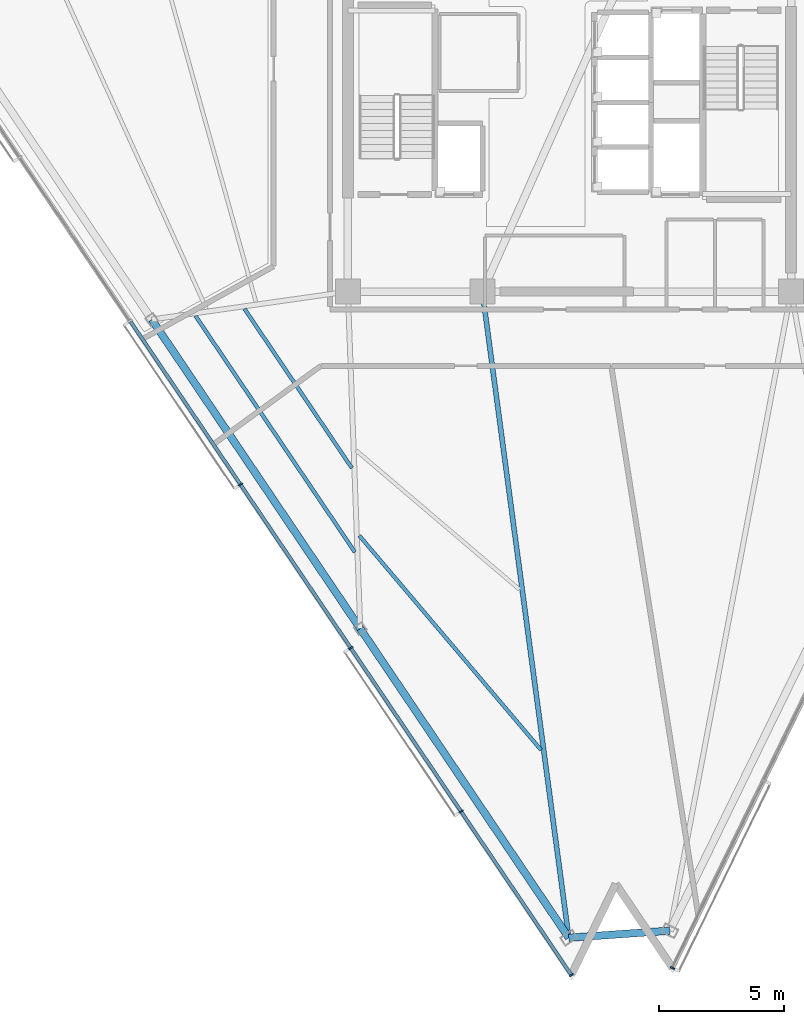
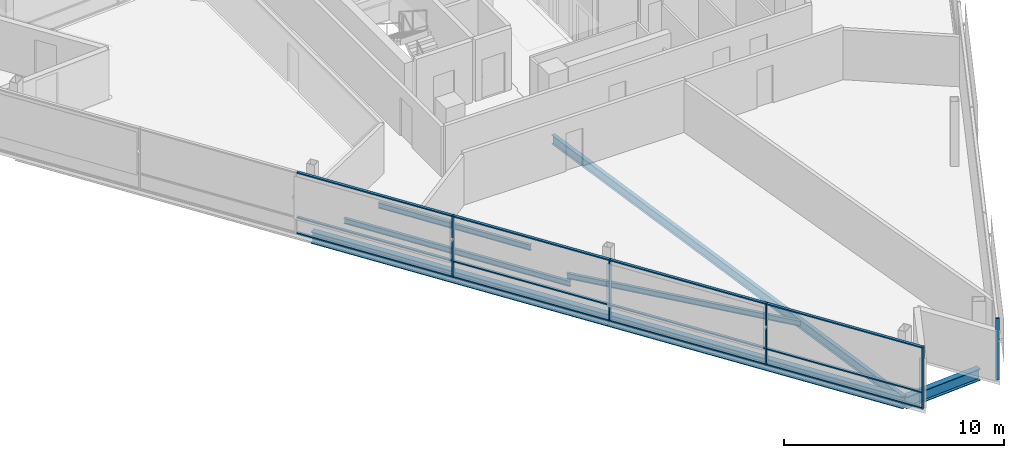
# One storey, part 2 of 15: 17 members, 7 beams, 2 elements without a shape of their own.
"""IFC4 building model written with IfcOpenShell, lengths in metres."""

from ifc_helpers import new_model, si_unit, direction, frame, origin, origin_2d, place, context, subcontext, project, spatial, rectangle, i_section, extrude, material, layer, layer_set, material_profile, profile_set, type_object, element, aggregate, save


model = new_model("IFC4")

# Units and contexts
model_context = context("Model", 3, precision=1e-05, world=origin(), true_north=direction((0.0, 1.0)))
body_context = subcontext(model_context, "Body", "Model", "MODEL_VIEW")
ifc_project = project(units=[si_unit("LENGTHUNIT", "METRE"), si_unit("AREAUNIT", "SQUARE_METRE"), si_unit("VOLUMEUNIT", "CUBIC_METRE"), si_unit("PLANEANGLEUNIT", "RADIAN"), si_unit("MASSUNIT", "GRAM", prefix="KILO")], contexts=[model_context])

# Site, building, storey
site_placement = place(None, origin())
site = spatial("IfcSite", under=ifc_project, at=site_placement, CompositionType="ELEMENT")
building_placement = place(site_placement, origin())
building = spatial("IfcBuilding", under=site, at=building_placement, Name="Tharavind Bronze Gate", CompositionType="ELEMENT")
storey_placement = place(building_placement, frame((0.0, 0.0, 267.800048828125)))
storey = spatial("IfcBuildingStorey", under=building, at=storey_placement, Name="L69", CompositionType="ELEMENT", Elevation=267.800048828125)

# Curtain wall, members
ifc_material_1 = material(Name="Anodised Bronze Aluminium", Category="aluminium")
ifc_layer = layer(ifc_material_1, 0.219970703125)
ifc_layer_set = layer_set([ifc_layer], Name="Anodised Bronze Aluminium")
curtain_wall_type = type_object("IfcCurtainWallType", Name="UNITISED CURTAIN WALL UPPER OFFICE", PredefinedType="USERDEFINED", material=ifc_layer_set)
curtain_wall_1_placement = place(storey_placement, origin())
curtain_wall_1 = element("IfcCurtainWall", 1, at=curtain_wall_1_placement, inside=storey, type_object=curtain_wall_type, Name="L69 unitised curtain wall upper office CW-L69-S1", ObjectType="UNITISED CURTAIN WALL", PredefinedType="USERDEFINED")
member_type_1 = type_object("IfcMemberType", Name="CURTAIN WALL BRONZE MULLION 65X180", PredefinedType="MULLION", material=ifc_material_1)
member_1_placement = place(storey_placement, frame((-13.211181640625, -15.3466796875, 0.0), z_axis=(0.0, 0.0, 1.0), x_axis=(0.559191456526, -0.82903854853, 0.0)))
member_1 = element("IfcMember", 2, at=member_1_placement, type_object=member_type_1, Name="CW-L69-S1 mullion 4", PredefinedType="MULLION", context=body_context, shape_type="SweptSolid", body=[
    extrude(rectangle(XDim=0.06494140625, YDim=0.179931640625, at=origin_2d()), origin(), (0.0, 0.0, 1.0), 3.419921875),
])
member_2_placement = place(storey_placement, frame((-8.781982421875, -21.912841796875, 0.0), z_axis=(0.0, 0.0, 1.0), x_axis=(0.559191456526, -0.82903854853, 0.0)))
member_2 = element("IfcMember", 3, at=member_2_placement, type_object=member_type_1, Name="CW-L69-S1 mullion 5", PredefinedType="MULLION", context=body_context, shape_type="SweptSolid", body=[
    extrude(rectangle(XDim=0.06494140625, YDim=0.179931640625, at=origin_2d()), origin(), (0.0, 0.0, 1.0), 3.419921875),
])
member_3_placement = place(storey_placement, frame((-4.35302734375, -28.47900390625, 0.0), z_axis=(0.0, 0.0, 1.0), x_axis=(0.559191456526, -0.82903854853, 0.0)))
member_3 = element("IfcMember", 4, at=member_3_placement, type_object=member_type_1, Name="CW-L69-S1 mullion 6", PredefinedType="MULLION", context=body_context, shape_type="SweptSolid", body=[
    extrude(rectangle(XDim=0.06494140625, YDim=0.179931640625, at=origin_2d()), origin(), (0.0, 0.0, 1.0), 3.419921875),
])
member_4_placement = place(storey_placement, frame((0.075927734375, -35.04541015625, 0.0), z_axis=(0.0, 0.0, 1.0), x_axis=(0.559191456526, -0.82903854853, 0.0)))
member_4 = element("IfcMember", 5, at=member_4_placement, type_object=member_type_1, Name="CW-L69-S1 mullion 7", PredefinedType="MULLION", context=body_context, shape_type="SweptSolid", body=[
    extrude(rectangle(XDim=0.06494140625, YDim=0.179931640625, at=origin_2d()), origin(), (0.0, 0.0, 1.0), 3.419921875),
])

# Curtain wall, member
curtain_wall_2_placement = place(storey_placement, origin())
curtain_wall_2 = element("IfcCurtainWall", 6, at=curtain_wall_2_placement, inside=storey, type_object=curtain_wall_type, Name="L69 unitised curtain wall upper office CW-L69-S2", ObjectType="UNITISED CURTAIN WALL", PredefinedType="USERDEFINED")
member_5_placement = place(storey_placement, frame((4.134033203125, -34.76171875, 0.0), z_axis=(0.0, 0.0, 1.0), x_axis=(0.43837271548, 0.898793281196, 0.0)))
member_5 = element("IfcMember", 7, at=member_5_placement, type_object=member_type_1, Name="CW-L69-S2 mullion 1", PredefinedType="MULLION", context=body_context, shape_type="SweptSolid", body=[
    extrude(rectangle(XDim=0.06494140625, YDim=0.179931640625, at=origin_2d()), origin(), (0.0, 0.0, 1.0), 3.419921875),
])
aggregate(curtain_wall_2, [member_5])

# Member
member_type_2 = type_object("IfcMemberType", Name="CURTAIN WALL BRONZE TRANSOM 65X140", PredefinedType="USERDEFINED", material=ifc_material_1)
member_6_placement = place(storey_placement, frame((-15.425537109375, -12.0634765625, 0.0), z_axis=(0.0, 0.0, 1.0), x_axis=(0.559191456526, -0.82903854853, 0.0)))
member_6 = element("IfcMember", 8, at=member_6_placement, type_object=member_type_2, Name="CW-L69-S1 transom TB3", ObjectType="TRANSOM", PredefinedType="USERDEFINED", context=body_context, shape_type="SweptSolid", body=[
    extrude(rectangle(XDim=7.8671875, YDim=0.139892578125, at=origin_2d()), origin(), (0.0, 0.0, 1.0), 0.06494140625),
])

member_7_placement = place(storey_placement, frame((-15.425537109375, -12.0634765625, 0.867431640625), z_axis=(0.0, 0.0, 1.0), x_axis=(0.559191456526, -0.82903854853, 0.0)))
member_7 = element("IfcMember", 9, at=member_7_placement, type_object=member_type_2, Name="CW-L69-S1 transom TS3", ObjectType="TRANSOM", PredefinedType="USERDEFINED", context=body_context, shape_type="SweptSolid", body=[
    extrude(rectangle(XDim=7.8671875, YDim=0.139892578125, at=origin_2d()), origin(), (0.0, 0.0, 1.0), 0.06494140625),
])

member_8_placement = place(storey_placement, frame((-15.425537109375, -12.0634765625, 3.35498046875), z_axis=(0.0, 0.0, 1.0), x_axis=(0.559191456526, -0.82903854853, 0.0)))
member_8 = element("IfcMember", 10, at=member_8_placement, type_object=member_type_2, Name="CW-L69-S1 transom TT3", ObjectType="TRANSOM", PredefinedType="USERDEFINED", context=body_context, shape_type="SweptSolid", body=[
    extrude(rectangle(XDim=7.8671875, YDim=0.139892578125, at=origin_2d()), origin(), (0.0, 0.0, 1.0), 0.06494140625),
])

member_9_placement = place(storey_placement, frame((-10.99658203125, -18.629638671875, 0.0), z_axis=(0.0, 0.0, 1.0), x_axis=(0.559191456526, -0.82903854853, 0.0)))
member_9 = element("IfcMember", 11, at=member_9_placement, type_object=member_type_2, Name="CW-L69-S1 transom TB4", ObjectType="TRANSOM", PredefinedType="USERDEFINED", context=body_context, shape_type="SweptSolid", body=[
    extrude(rectangle(XDim=7.8671875, YDim=0.139892578125, at=origin_2d()), origin(), (0.0, 0.0, 1.0), 0.06494140625),
])

member_10_placement = place(storey_placement, frame((-10.99658203125, -18.629638671875, 0.867431640625), z_axis=(0.0, 0.0, 1.0), x_axis=(0.559191456526, -0.82903854853, 0.0)))
member_10 = element("IfcMember", 12, at=member_10_placement, type_object=member_type_2, Name="CW-L69-S1 transom TS4", ObjectType="TRANSOM", PredefinedType="USERDEFINED", context=body_context, shape_type="SweptSolid", body=[
    extrude(rectangle(XDim=7.8671875, YDim=0.139892578125, at=origin_2d()), origin(), (0.0, 0.0, 1.0), 0.06494140625),
])

member_11_placement = place(storey_placement, frame((-10.99658203125, -18.629638671875, 3.35498046875), z_axis=(0.0, 0.0, 1.0), x_axis=(0.559191456526, -0.82903854853, 0.0)))
member_11 = element("IfcMember", 13, at=member_11_placement, type_object=member_type_2, Name="CW-L69-S1 transom TT4", ObjectType="TRANSOM", PredefinedType="USERDEFINED", context=body_context, shape_type="SweptSolid", body=[
    extrude(rectangle(XDim=7.8671875, YDim=0.139892578125, at=origin_2d()), origin(), (0.0, 0.0, 1.0), 0.06494140625),
])

member_12_placement = place(storey_placement, frame((-6.567626953125, -25.196044921875, 0.0), z_axis=(0.0, 0.0, 1.0), x_axis=(0.559191456526, -0.82903854853, 0.0)))
member_12 = element("IfcMember", 14, at=member_12_placement, type_object=member_type_2, Name="CW-L69-S1 transom TB5", ObjectType="TRANSOM", PredefinedType="USERDEFINED", context=body_context, shape_type="SweptSolid", body=[
    extrude(rectangle(XDim=7.8671875, YDim=0.139892578125, at=origin_2d()), origin(), (0.0, 0.0, 1.0), 0.06494140625),
])

member_13_placement = place(storey_placement, frame((-6.567626953125, -25.196044921875, 0.867431640625), z_axis=(0.0, 0.0, 1.0), x_axis=(0.559191456526, -0.82903854853, 0.0)))
member_13 = element("IfcMember", 15, at=member_13_placement, type_object=member_type_2, Name="CW-L69-S1 transom TS5", ObjectType="TRANSOM", PredefinedType="USERDEFINED", context=body_context, shape_type="SweptSolid", body=[
    extrude(rectangle(XDim=7.8671875, YDim=0.139892578125, at=origin_2d()), origin(), (0.0, 0.0, 1.0), 0.06494140625),
])

member_14_placement = place(storey_placement, frame((-6.567626953125, -25.196044921875, 3.35498046875), z_axis=(0.0, 0.0, 1.0), x_axis=(0.559191456526, -0.82903854853, 0.0)))
member_14 = element("IfcMember", 16, at=member_14_placement, type_object=member_type_2, Name="CW-L69-S1 transom TT5", ObjectType="TRANSOM", PredefinedType="USERDEFINED", context=body_context, shape_type="SweptSolid", body=[
    extrude(rectangle(XDim=7.8671875, YDim=0.139892578125, at=origin_2d()), origin(), (0.0, 0.0, 1.0), 0.06494140625),
])

member_15_placement = place(storey_placement, frame((-2.138671875, -31.76220703125, 0.0), z_axis=(0.0, 0.0, 1.0), x_axis=(0.559191456526, -0.82903854853, 0.0)))
member_15 = element("IfcMember", 17, at=member_15_placement, type_object=member_type_2, Name="CW-L69-S1 transom TB6", ObjectType="TRANSOM", PredefinedType="USERDEFINED", context=body_context, shape_type="SweptSolid", body=[
    extrude(rectangle(XDim=7.8671875, YDim=0.139892578125, at=origin_2d()), origin(), (0.0, 0.0, 1.0), 0.06494140625),
])

member_16_placement = place(storey_placement, frame((-2.138671875, -31.76220703125, 0.867431640625), z_axis=(0.0, 0.0, 1.0), x_axis=(0.559191456526, -0.82903854853, 0.0)))
member_16 = element("IfcMember", 18, at=member_16_placement, type_object=member_type_2, Name="CW-L69-S1 transom TS6", ObjectType="TRANSOM", PredefinedType="USERDEFINED", context=body_context, shape_type="SweptSolid", body=[
    extrude(rectangle(XDim=7.8671875, YDim=0.139892578125, at=origin_2d()), origin(), (0.0, 0.0, 1.0), 0.06494140625),
])

member_17_placement = place(storey_placement, frame((-2.138671875, -31.76220703125, 3.35498046875), z_axis=(0.0, 0.0, 1.0), x_axis=(0.559191456526, -0.82903854853, 0.0)))
member_17 = element("IfcMember", 19, at=member_17_placement, type_object=member_type_2, Name="CW-L69-S1 transom TT6", ObjectType="TRANSOM", PredefinedType="USERDEFINED", context=body_context, shape_type="SweptSolid", body=[
    extrude(rectangle(XDim=7.8671875, YDim=0.139892578125, at=origin_2d()), origin(), (0.0, 0.0, 1.0), 0.06494140625),
])

aggregate(curtain_wall_1, [member_1, member_2, member_3, member_4, member_6, member_7, member_8, member_9, member_10, member_11, member_12, member_13, member_14, member_15, member_16, member_17])

# Beams
ifc_material_2 = material(Name="Steel S355", Category="steel")
ifc_material_profile_1 = material_profile(ifc_material_2, i_section(OverallWidth=0.300048828125, OverallDepth=0.64990234375, WebThickness=0.01611328125, FlangeThickness=0.031005859375, at=origin_2d()), Name="HE650B")
ifc_profile_set_1 = profile_set([ifc_material_profile_1], Name="Steel S355")
beam_type_1 = type_object("IfcBeamType", Name="PRIMARY GIRDER HE650B", PredefinedType="USERDEFINED", material=ifc_profile_set_1)
for number, where, z_axis, x_axis, name in (
    (20, (-16.776123046875, -8.719970703125, -0.505126953125), (0.559195614283, -0.829035744083, 0.0), (0.829035744083, 0.559195614283, 0.0), "L69 primary girder he650b BM-L69-PRG02"),
    (21, (-8.40234375, -21.134521484375, -0.505126953125), (0.559184408692, -0.829043302292, 0.0), (0.829043302292, 0.559184408692, 0.0), "L69 primary girder he650b BM-L69-PRG03"),
):
    element("IfcBeam", number, at=place(storey_placement, frame(where, z_axis=z_axis, x_axis=x_axis)), inside=storey, type_object=beam_type_1, Name=name, ObjectType="GIRDER", PredefinedType="USERDEFINED", context=body_context, shape_type="SweptSolid", body=[
        extrude(i_section(OverallWidth=0.300048828125, OverallDepth=0.64990234375, WebThickness=0.01611328125, FlangeThickness=0.031005859375, at=origin_2d()), origin(), (0.0, 0.0, 1.0), 14.974609375),
    ])
beam_1_placement = place(storey_placement, frame((-0.02880859375, -33.549072265625, -0.505126953125), z_axis=(0.997561224107, 0.069796877851, 0.0), x_axis=(-0.069796877851, 0.997561224107, 0.0)))
element("IfcBeam", 22, at=beam_1_placement, inside=storey, type_object=beam_type_1, Name="L69 primary girder he650b BM-L69-PRG04", ObjectType="GIRDER", PredefinedType="USERDEFINED", context=body_context, shape_type="SweptSolid", body=[
    extrude(i_section(OverallWidth=0.300048828125, OverallDepth=0.64990234375, WebThickness=0.01611328125, FlangeThickness=0.031005859375, at=origin_2d()), origin(), (0.0, 0.0, 1.0), 4.068115234375),
])
ifc_material_profile_2 = material_profile(ifc_material_2, i_section(OverallWidth=0.199951171875, OverallDepth=0.5, WebThickness=0.01025390625, FlangeThickness=0.01611328125, at=origin_2d()), Name="IPE500")
ifc_profile_set_2 = profile_set([ifc_material_profile_2], Name="Steel S355")
beam_type_2 = type_object("IfcBeamType", Name="PRIMARY GIRDER IPE500", PredefinedType="USERDEFINED", material=ifc_profile_set_2)
beam_2_placement = place(storey_placement, frame((-0.02880859375, -33.549072265625, -0.429931640625), z_axis=(-0.132588849442, 0.991171123976, 0.0), x_axis=(-0.991171123976, -0.132588849442, 0.0)))
element("IfcBeam", 23, at=beam_2_placement, inside=storey, type_object=beam_type_2, Name="L69 primary girder ipe500 BM-L69-RAD04", ObjectType="GIRDER", PredefinedType="USERDEFINED", context=body_context, shape_type="SweptSolid", body=[
    extrude(i_section(OverallWidth=0.199951171875, OverallDepth=0.5, WebThickness=0.01025390625, FlangeThickness=0.01611328125, at=origin_2d()), origin(), (0.0, 0.0, 1.0), 26.18017578125),
])
ifc_material_profile_3 = material_profile(ifc_material_2, i_section(OverallWidth=0.14990234375, OverallDepth=0.300048828125, WebThickness=0.007080078125, FlangeThickness=0.0107421875, at=origin_2d()), Name="IPE300")
ifc_profile_set_3 = profile_set([ifc_material_profile_3], Name="Steel S355")
beam_type_3 = type_object("IfcBeamType", Name="SECONDARY FLOOR JOIST IPE300", PredefinedType="JOIST", material=ifc_profile_set_3)
beam_3_placement = place(storey_placement, frame((-13.04931640625, -8.294677734375, -0.330078125), z_axis=(0.559190305192, -0.82903932511, 0.0), x_axis=(0.82903932511, 0.559190305192, 0.0)))
element("IfcBeam", 24, at=beam_3_placement, inside=storey, type_object=beam_type_3, Name="L69 secondary floor joist ipe300 BM-L69-JSTA02", PredefinedType="JOIST", context=body_context, shape_type="SweptSolid", body=[
    extrude(i_section(OverallWidth=0.14990234375, OverallDepth=0.300048828125, WebThickness=0.007080078125, FlangeThickness=0.0107421875, at=origin_2d()), origin(), (0.0, 0.0, 1.0), 7.702880859375),
])
beam_4_placement = place(storey_placement, frame((-15.018310546875, -8.57470703125, -0.330078125), z_axis=(0.559200650342, -0.829032347172, 0.0), x_axis=(0.829032347172, 0.559200650342, 0.0)))
element("IfcBeam", 25, at=beam_4_placement, inside=storey, type_object=beam_type_3, Name="L69 secondary floor joist ipe300 BM-L69-JSTB02", PredefinedType="JOIST", context=body_context, shape_type="SweptSolid", body=[
    extrude(i_section(OverallWidth=0.14990234375, OverallDepth=0.300048828125, WebThickness=0.007080078125, FlangeThickness=0.0107421875, at=origin_2d()), origin(), (0.0, 0.0, 1.0), 11.446533203125),
])
beam_5_placement = place(storey_placement, frame((-8.43701171875, -17.403564453125, -0.330078125), z_axis=(0.646710156103, -0.762735848111, 0.0), x_axis=(0.762735848111, 0.646710156103, 0.0)))
element("IfcBeam", 26, at=beam_5_placement, inside=storey, type_object=beam_type_3, Name="L69 secondary floor joist ipe300 BM-L69-JSTB03", PredefinedType="JOIST", context=body_context, shape_type="SweptSolid", body=[
    extrude(i_section(OverallWidth=0.14990234375, OverallDepth=0.300048828125, WebThickness=0.007080078125, FlangeThickness=0.0107421875, at=origin_2d()), origin(), (0.0, 0.0, 1.0), 11.28271484375),
])

save(model, "model.ifc")
